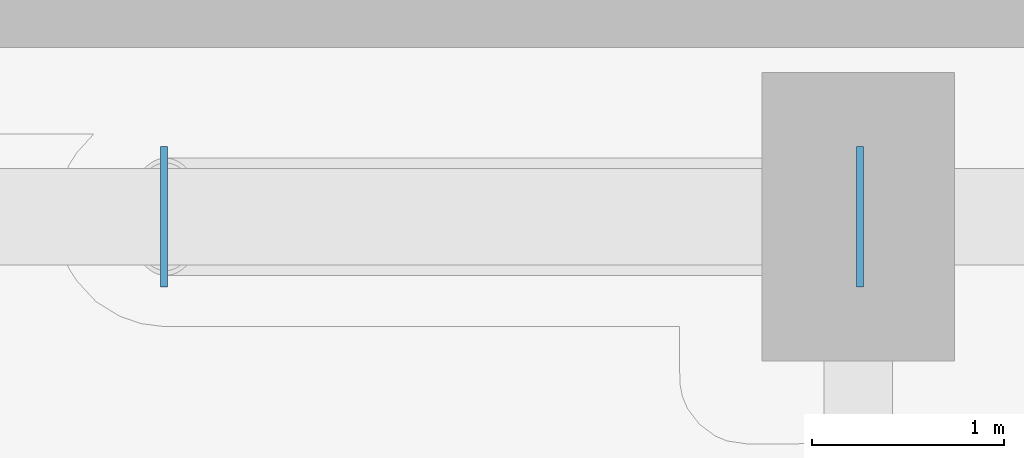
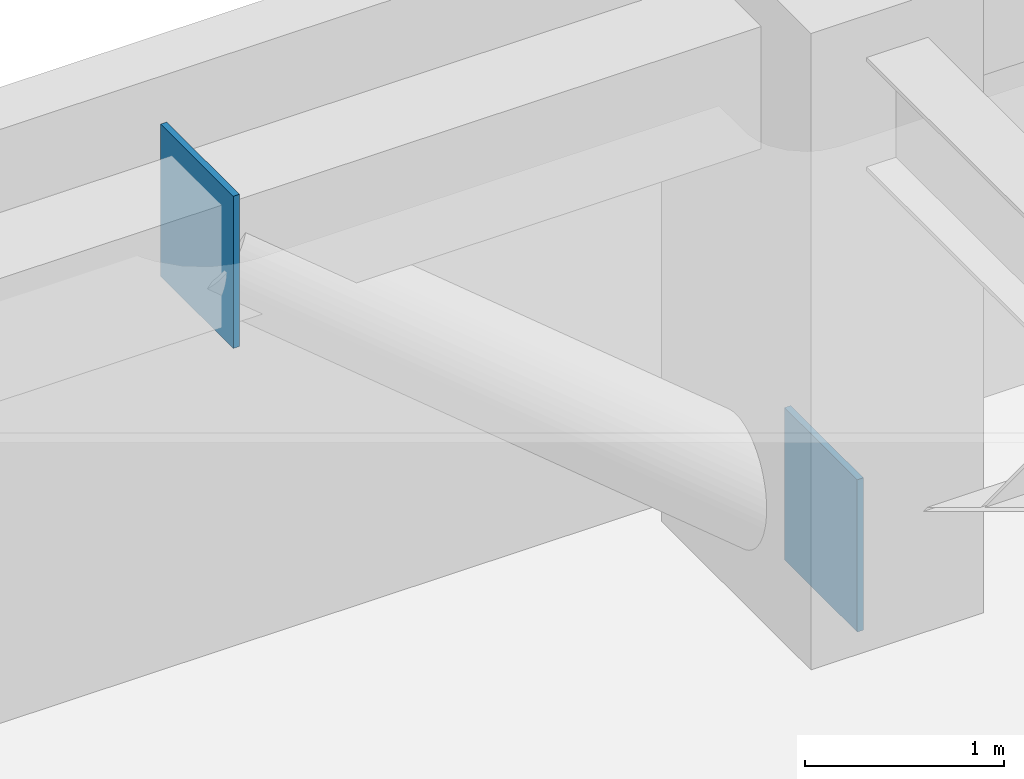
# One storey, part 21 of 29: 2 plates.
"""IFC4 building model written with IfcOpenShell, lengths in metres."""

from ifc_helpers import new_model, si_unit, direction, frame, origin, origin_2d, place, context, subcontext, project, spatial, rectangle, extrude, material, layer, layer_set, type_object, element, save


model = new_model("IFC4")

# Units and contexts
model_context = context("Model", 3, precision=1e-05, world=origin(), true_north=direction((0.0, 1.0)))
body_context = subcontext(model_context, "Body", "Model", "MODEL_VIEW")
ifc_project = project(units=[si_unit("LENGTHUNIT", "METRE"), si_unit("AREAUNIT", "SQUARE_METRE"), si_unit("VOLUMEUNIT", "CUBIC_METRE"), si_unit("PLANEANGLEUNIT", "RADIAN"), si_unit("MASSUNIT", "GRAM", prefix="KILO")], contexts=[model_context])

# Site, building, storey
site_placement = place(None, origin())
site = spatial("IfcSite", under=ifc_project, at=site_placement, CompositionType="ELEMENT")
building_placement = place(site_placement, origin())
building = spatial("IfcBuilding", under=site, at=building_placement, Name="Kiyonajd Concourse Tower", CompositionType="ELEMENT")
storey_placement = place(building_placement, frame((0.0, 0.0, 25.5)))
storey = spatial("IfcBuildingStorey", under=building, at=storey_placement, Name="L07", CompositionType="ELEMENT", Elevation=25.5)

# Plates
ifc_material = material(Name="Steel ASTM A572 Grade 50", Category="steel")
ifc_layer = layer(ifc_material, 0.028076171875)
ifc_layer_set = layer_set([ifc_layer], Name="Steel ASTM A572 Grade 50")
plate_type = type_object("IfcPlateType", Name="PL-CAP-450", PredefinedType="USERDEFINED", material=ifc_layer_set)
for number, where, z_axis, x_axis, name in (
    (1, (63.6083984375, 61.199951171875, -0.173583984375), (0.0, 0.0, 1.0), (1.0, 0.0, 0.0), "L07 Hollow Brace End Cap Plate PBN"),
    (2, (59.991455078125, 61.199951171875, 2.83056640625), (0.0, 0.0, 1.0), (-1.0, 0.0, 0.0), "L07 Hollow Brace Top Cap Plate PBN"),
):
    element("IfcPlate", number, at=place(storey_placement, frame(where, z_axis=z_axis, x_axis=x_axis)), inside=storey, type_object=plate_type, Name=name, ObjectType="CAP PLATE", PredefinedType="USERDEFINED", context=body_context, shape_type="SweptSolid", body=[
        extrude(rectangle(XDim=0.035888671875, YDim=0.72998046875, at=origin_2d()), origin(), (0.0, 0.0, 1.0), 0.93310546875),
    ])

save(model, "model.ifc")
